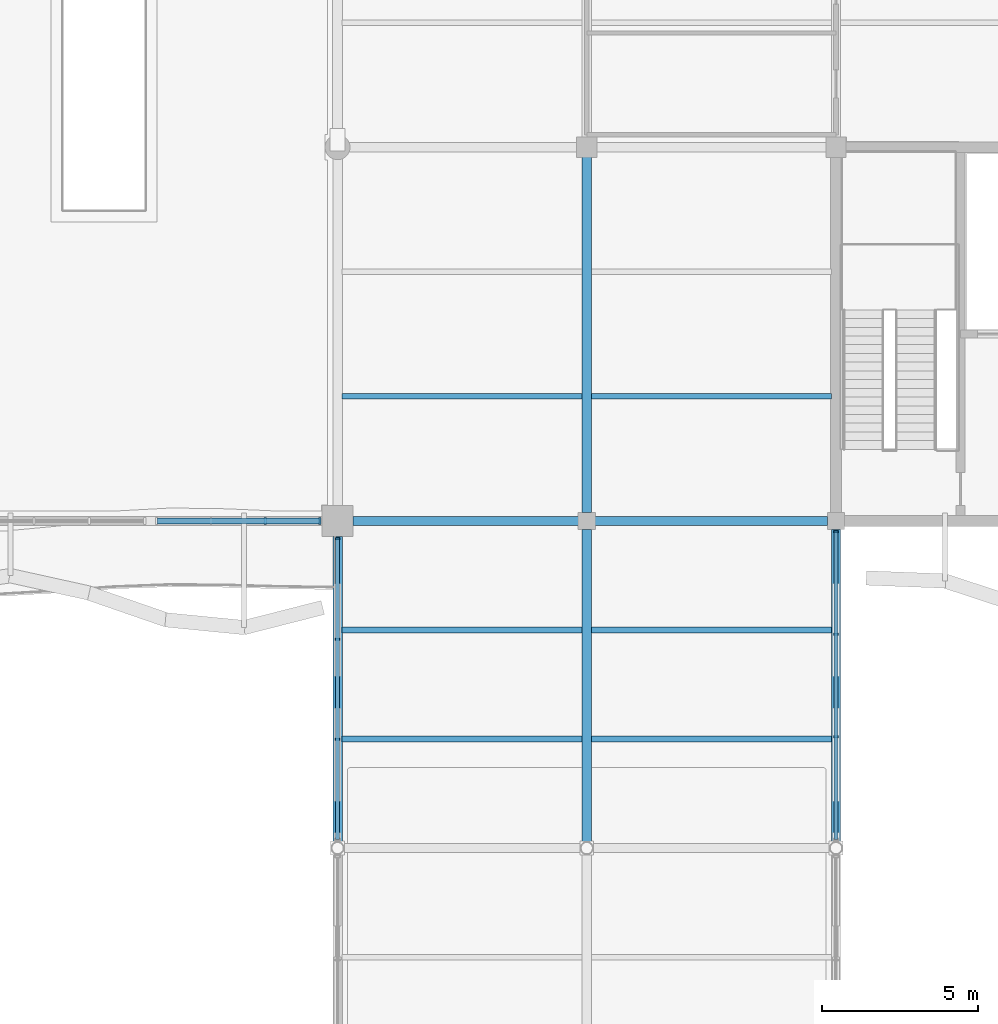
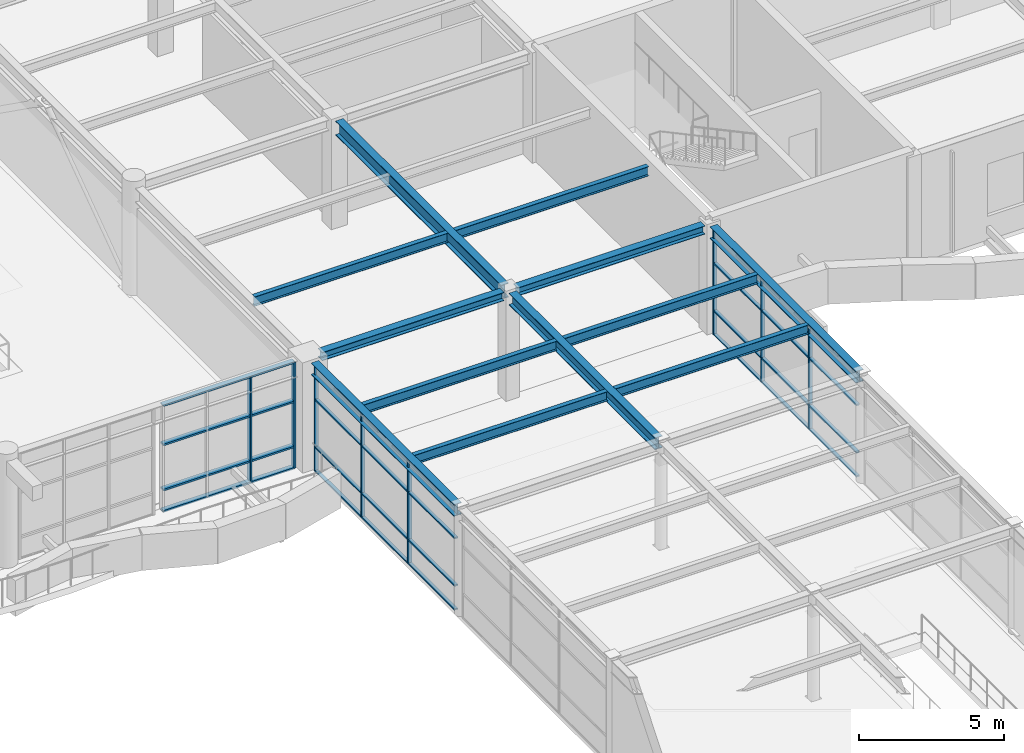
# One storey, part 26 of 72: 20 members, 12 beams, 3 elements without a shape of their own.
"""IFC4 building model written with IfcOpenShell, lengths in metres."""

from ifc_helpers import new_model, si_unit, direction, frame, origin, origin_2d, place, context, subcontext, project, spatial, rectangle, i_section, extrude, material, layer, layer_set, material_profile, profile_set, type_object, element, aggregate, save


model = new_model("IFC4")

# Units and contexts
model_context = context("Model", 3, precision=1e-05, world=origin(), true_north=direction((0.0, 1.0)))
body_context = subcontext(model_context, "Body", "Model", "MODEL_VIEW")
ifc_project = project(units=[si_unit("LENGTHUNIT", "METRE"), si_unit("AREAUNIT", "SQUARE_METRE"), si_unit("VOLUMEUNIT", "CUBIC_METRE"), si_unit("PLANEANGLEUNIT", "RADIAN"), si_unit("MASSUNIT", "GRAM", prefix="KILO")], contexts=[model_context])

# Site, building, storey
site_placement = place(None, origin())
site = spatial("IfcSite", under=ifc_project, at=site_placement, CompositionType="ELEMENT")
building_placement = place(site_placement, origin())
building = spatial("IfcBuilding", under=site, at=building_placement, Name="Keelwater Ferry Terminal", CompositionType="ELEMENT")
storey_placement = place(building_placement, frame((0.0, 0.0, 5.39990234375)))
storey = spatial("IfcBuildingStorey", under=building, at=storey_placement, Name="L01", CompositionType="ELEMENT", Elevation=5.39990234375)

# Curtain wall, members
ifc_material_1 = material(Name="Thermally broken unitised aluminium and triple glass", Category="aluminium")
ifc_layer_1 = layer(ifc_material_1, 0.179931640625)
ifc_layer_set_1 = layer_set([ifc_layer_1], Name="Thermally broken unitised aluminium and triple glass")
curtain_wall_type_1 = type_object("IfcCurtainWallType", Name="CW-01 Unitised Curtain Wall 5230x4450", PredefinedType="USERDEFINED", material=ifc_layer_set_1)
curtain_wall_1_placement = place(storey_placement, origin())
curtain_wall_1 = element("IfcCurtainWall", 1, at=curtain_wall_1_placement, inside=storey, type_object=curtain_wall_type_1, Name="Unitised Curtain Wall CW-L01-010", ObjectType="UNITISED CURTAIN WALL", PredefinedType="USERDEFINED")
ifc_material_2 = material(Name="Aluminium mullion", Category="aluminium")
ifc_material_profile_1 = material_profile(ifc_material_2, rectangle(XDim=0.074951171875, YDim=0.219970703125, at=origin_2d()), Name="CWM-02")
ifc_profile_set_1 = profile_set([ifc_material_profile_1], Name="Aluminium mullion")
member_type_1 = type_object("IfcMemberType", Name="CWM-02 Curtain Mullion 75x220", PredefinedType="MULLION", material=ifc_profile_set_1)
member_1_placement = place(storey_placement, frame((129.681640625, 42.0, 0.0), z_axis=(0.0, 0.0, 1.0), x_axis=(1.0, 0.0, 0.0)))
member_1 = element("IfcMember", 2, at=member_1_placement, type_object=member_type_1, Name="CW-L01-010 Mullion 3", PredefinedType="MULLION", context=body_context, shape_type="SweptSolid", body=[
    extrude(rectangle(XDim=0.074951171875, YDim=0.219970703125, at=origin_2d()), origin(), (0.0, 0.0, 1.0), 4.4501953125),
])
member_2_placement = place(storey_placement, frame((131.425048828125, 42.0, 0.0), z_axis=(0.0, 0.0, 1.0), x_axis=(1.0, 0.0, 0.0)))
member_2 = element("IfcMember", 3, at=member_2_placement, type_object=member_type_1, Name="CW-L01-010 Mullion 4", PredefinedType="MULLION", context=body_context, shape_type="SweptSolid", body=[
    extrude(rectangle(XDim=0.074951171875, YDim=0.219970703125, at=origin_2d()), origin(), (0.0, 0.0, 1.0), 4.4501953125),
])

ifc_material_3 = material(Name="Thermally broken unitised aluminium and triple glass", Category="aluminium")
ifc_layer_2 = layer(ifc_material_3, 0.179931640625)
ifc_layer_set_2 = layer_set([ifc_layer_2], Name="Thermally broken unitised aluminium and triple glass")
curtain_wall_type_2 = type_object("IfcCurtainWallType", Name="CW-13 Unitised Curtain Wall 9647x4400", PredefinedType="USERDEFINED", material=ifc_layer_set_2)
curtain_wall_2_placement = place(storey_placement, origin())
curtain_wall_2 = element("IfcCurtainWall", 4, at=curtain_wall_2_placement, inside=storey, type_object=curtain_wall_type_2, Name="Unitised Curtain Wall CW-L01-064", ObjectType="UNITISED CURTAIN WALL", PredefinedType="USERDEFINED")
ifc_material_4 = material(Name="Aluminium mullion", Category="aluminium")
ifc_material_profile_2 = material_profile(ifc_material_4, rectangle(XDim=0.06005859375, YDim=0.14990234375, at=origin_2d()), Name="CWM-03")
ifc_profile_set_2 = profile_set([ifc_material_profile_2], Name="Aluminium mullion")
member_type_2 = type_object("IfcMemberType", Name="CWM-03 Curtain Mullion 60x150", PredefinedType="MULLION", material=ifc_profile_set_2)
member_3_placement = place(storey_placement, frame((132.0, 34.99365234375, 0.0), z_axis=(0.0, 0.0, 1.0), x_axis=(0.0, 1.0, 0.0)))
member_3 = element("IfcMember", 5, at=member_3_placement, type_object=member_type_2, Name="CW-L01-064 Mullion 2", PredefinedType="MULLION", context=body_context, shape_type="SweptSolid", body=[
    extrude(rectangle(XDim=0.06005859375, YDim=0.14990234375, at=origin_2d()), origin(), (0.0, 0.0, 1.0), 4.400146484375),
])
member_4_placement = place(storey_placement, frame((132.0, 38.209228515625, 0.0), z_axis=(0.0, 0.0, 1.0), x_axis=(0.0, 1.0, 0.0)))
member_4 = element("IfcMember", 6, at=member_4_placement, type_object=member_type_2, Name="CW-L01-064 Mullion 3", PredefinedType="MULLION", context=body_context, shape_type="SweptSolid", body=[
    extrude(rectangle(XDim=0.06005859375, YDim=0.14990234375, at=origin_2d()), origin(), (0.0, 0.0, 1.0), 4.400146484375),
])
member_5_placement = place(storey_placement, frame((132.0, 41.425048828125, 0.0), z_axis=(0.0, 0.0, 1.0), x_axis=(0.0, 1.0, 0.0)))
member_5 = element("IfcMember", 7, at=member_5_placement, type_object=member_type_2, Name="CW-L01-064 Mullion 4", PredefinedType="MULLION", context=body_context, shape_type="SweptSolid", body=[
    extrude(rectangle(XDim=0.06005859375, YDim=0.14990234375, at=origin_2d()), origin(), (0.0, 0.0, 1.0), 4.400146484375),
])

ifc_material_5 = material(Name="Thermally broken unitised aluminium and triple glass", Category="aluminium")
ifc_layer_3 = layer(ifc_material_5, 0.179931640625)
ifc_layer_set_3 = layer_set([ifc_layer_3], Name="Thermally broken unitised aluminium and triple glass")
curtain_wall_type_3 = type_object("IfcCurtainWallType", Name="CW-11 Unitised Curtain Wall 9872x4400", PredefinedType="USERDEFINED", material=ifc_layer_set_3)
curtain_wall_3_placement = place(storey_placement, origin())
curtain_wall_3 = element("IfcCurtainWall", 8, at=curtain_wall_3_placement, inside=storey, type_object=curtain_wall_type_3, Name="Unitised Curtain Wall CW-L01-070", ObjectType="UNITISED CURTAIN WALL", PredefinedType="USERDEFINED")
member_6_placement = place(storey_placement, frame((148.0, 35.068603515625, 0.0), z_axis=(0.0, 0.0, 1.0), x_axis=(0.0, 1.0, 0.0)))
member_6 = element("IfcMember", 9, at=member_6_placement, type_object=member_type_2, Name="CW-L01-070 Mullion 2", PredefinedType="MULLION", context=body_context, shape_type="SweptSolid", body=[
    extrude(rectangle(XDim=0.06005859375, YDim=0.14990234375, at=origin_2d()), origin(), (0.0, 0.0, 1.0), 4.400146484375),
])
member_7_placement = place(storey_placement, frame((148.0, 38.359375, 0.0), z_axis=(0.0, 0.0, 1.0), x_axis=(0.0, 1.0, 0.0)))
member_7 = element("IfcMember", 10, at=member_7_placement, type_object=member_type_2, Name="CW-L01-070 Mullion 3", PredefinedType="MULLION", context=body_context, shape_type="SweptSolid", body=[
    extrude(rectangle(XDim=0.06005859375, YDim=0.14990234375, at=origin_2d()), origin(), (0.0, 0.0, 1.0), 4.400146484375),
])
member_8_placement = place(storey_placement, frame((148.0, 41.64990234375, 0.0), z_axis=(0.0, 0.0, 1.0), x_axis=(0.0, 1.0, 0.0)))
member_8 = element("IfcMember", 11, at=member_8_placement, type_object=member_type_2, Name="CW-L01-070 Mullion 4", PredefinedType="MULLION", context=body_context, shape_type="SweptSolid", body=[
    extrude(rectangle(XDim=0.06005859375, YDim=0.14990234375, at=origin_2d()), origin(), (0.0, 0.0, 1.0), 4.400146484375),
])

# Member
ifc_material_6 = material(Name="Aluminium mullion", Category="aluminium")
ifc_material_profile_3 = material_profile(ifc_material_6, rectangle(XDim=0.199951171875, YDim=0.074951171875, at=origin_2d()), Name="CWT-02")
ifc_profile_set_3 = profile_set([ifc_material_profile_3], Name="Aluminium mullion")
member_type_3 = type_object("IfcMemberType", Name="CWT-02 Curtain Transom 75x200", PredefinedType="USERDEFINED", material=ifc_profile_set_3)
member_9_placement = place(storey_placement, frame((126.195068359375, 42.0, 0.0), z_axis=(1.0, 0.0, 0.0), x_axis=(0.0, 1.0, 0.0)))
member_9 = element("IfcMember", 12, at=member_9_placement, type_object=member_type_3, Name="CW-L01-010 Transom 1", ObjectType="TRANSOM", PredefinedType="USERDEFINED", context=body_context, shape_type="SweptSolid", body=[
    extrude(rectangle(XDim=0.199951171875, YDim=0.074951171875, at=origin_2d()), origin(), (0.0, 0.0, 1.0), 5.22998046875),
])

member_10_placement = place(storey_placement, frame((126.195068359375, 42.0, 0.900146484375), z_axis=(1.0, 0.0, 0.0), x_axis=(0.0, 1.0, 0.0)))
member_10 = element("IfcMember", 13, at=member_10_placement, type_object=member_type_3, Name="CW-L01-010 Transom 2", ObjectType="TRANSOM", PredefinedType="USERDEFINED", context=body_context, shape_type="SweptSolid", body=[
    extrude(rectangle(XDim=0.199951171875, YDim=0.074951171875, at=origin_2d()), origin(), (0.0, 0.0, 1.0), 5.22998046875),
])

member_11_placement = place(storey_placement, frame((126.195068359375, 42.0, 2.800048828125), z_axis=(1.0, 0.0, 0.0), x_axis=(0.0, 1.0, 0.0)))
member_11 = element("IfcMember", 14, at=member_11_placement, type_object=member_type_3, Name="CW-L01-010 Transom 3", ObjectType="TRANSOM", PredefinedType="USERDEFINED", context=body_context, shape_type="SweptSolid", body=[
    extrude(rectangle(XDim=0.199951171875, YDim=0.074951171875, at=origin_2d()), origin(), (0.0, 0.0, 1.0), 5.22998046875),
])

member_12_placement = place(storey_placement, frame((126.195068359375, 42.0, 4.4501953125), z_axis=(1.0, 0.0, 0.0), x_axis=(0.0, 1.0, 0.0)))
member_12 = element("IfcMember", 15, at=member_12_placement, type_object=member_type_3, Name="CW-L01-010 Transom 4", ObjectType="TRANSOM", PredefinedType="USERDEFINED", context=body_context, shape_type="SweptSolid", body=[
    extrude(rectangle(XDim=0.199951171875, YDim=0.074951171875, at=origin_2d()), origin(), (0.0, 0.0, 1.0), 5.22998046875),
])

aggregate(curtain_wall_1, [member_1, member_2, member_9, member_10, member_11, member_12])

ifc_material_7 = material(Name="Aluminium mullion", Category="aluminium")
ifc_material_profile_4 = material_profile(ifc_material_7, rectangle(XDim=0.135009765625, YDim=0.06005859375, at=origin_2d()), Name="CWT-03")
ifc_profile_set_4 = profile_set([ifc_material_profile_4], Name="Aluminium mullion")
member_type_4 = type_object("IfcMemberType", Name="CWT-03 Curtain Transom 60x135", PredefinedType="USERDEFINED", material=ifc_profile_set_4)
member_13_placement = place(storey_placement, frame((132.0, 31.778076171875, 0.0), z_axis=(0.0, 1.0, 0.0), x_axis=(-1.0, 0.0, 0.0)))
member_13 = element("IfcMember", 16, at=member_13_placement, type_object=member_type_4, Name="CW-L01-064 Transom 1", ObjectType="TRANSOM", PredefinedType="USERDEFINED", context=body_context, shape_type="SweptSolid", body=[
    extrude(rectangle(XDim=0.135009765625, YDim=0.06005859375, at=origin_2d()), origin(), (0.0, 0.0, 1.0), 9.64697265625),
])

member_14_placement = place(storey_placement, frame((132.0, 31.778076171875, 1.0), z_axis=(0.0, 1.0, 0.0), x_axis=(-1.0, 0.0, 0.0)))
member_14 = element("IfcMember", 17, at=member_14_placement, type_object=member_type_4, Name="CW-L01-064 Transom 2", ObjectType="TRANSOM", PredefinedType="USERDEFINED", context=body_context, shape_type="SweptSolid", body=[
    extrude(rectangle(XDim=0.135009765625, YDim=0.06005859375, at=origin_2d()), origin(), (0.0, 0.0, 1.0), 9.64697265625),
])

member_15_placement = place(storey_placement, frame((132.0, 31.778076171875, 3.0), z_axis=(0.0, 1.0, 0.0), x_axis=(-1.0, 0.0, 0.0)))
member_15 = element("IfcMember", 18, at=member_15_placement, type_object=member_type_4, Name="CW-L01-064 Transom 3", ObjectType="TRANSOM", PredefinedType="USERDEFINED", context=body_context, shape_type="SweptSolid", body=[
    extrude(rectangle(XDim=0.135009765625, YDim=0.06005859375, at=origin_2d()), origin(), (0.0, 0.0, 1.0), 9.64697265625),
])

member_16_placement = place(storey_placement, frame((132.0, 31.778076171875, 4.400146484375), z_axis=(0.0, 1.0, 0.0), x_axis=(-1.0, 0.0, 0.0)))
member_16 = element("IfcMember", 19, at=member_16_placement, type_object=member_type_4, Name="CW-L01-064 Transom 4", ObjectType="TRANSOM", PredefinedType="USERDEFINED", context=body_context, shape_type="SweptSolid", body=[
    extrude(rectangle(XDim=0.135009765625, YDim=0.06005859375, at=origin_2d()), origin(), (0.0, 0.0, 1.0), 9.64697265625),
])

aggregate(curtain_wall_2, [member_3, member_4, member_5, member_13, member_14, member_15, member_16])

member_17_placement = place(storey_placement, frame((148.0, 31.778076171875, 0.0), z_axis=(0.0, 1.0, 0.0), x_axis=(-1.0, 0.0, 0.0)))
member_17 = element("IfcMember", 20, at=member_17_placement, type_object=member_type_4, Name="CW-L01-070 Transom 1", ObjectType="TRANSOM", PredefinedType="USERDEFINED", context=body_context, shape_type="SweptSolid", body=[
    extrude(rectangle(XDim=0.135009765625, YDim=0.06005859375, at=origin_2d()), origin(), (0.0, 0.0, 1.0), 9.871826171875),
])

member_18_placement = place(storey_placement, frame((148.0, 31.778076171875, 1.0), z_axis=(0.0, 1.0, 0.0), x_axis=(-1.0, 0.0, 0.0)))
member_18 = element("IfcMember", 21, at=member_18_placement, type_object=member_type_4, Name="CW-L01-070 Transom 2", ObjectType="TRANSOM", PredefinedType="USERDEFINED", context=body_context, shape_type="SweptSolid", body=[
    extrude(rectangle(XDim=0.135009765625, YDim=0.06005859375, at=origin_2d()), origin(), (0.0, 0.0, 1.0), 9.871826171875),
])

member_19_placement = place(storey_placement, frame((148.0, 31.778076171875, 3.0), z_axis=(0.0, 1.0, 0.0), x_axis=(-1.0, 0.0, 0.0)))
member_19 = element("IfcMember", 22, at=member_19_placement, type_object=member_type_4, Name="CW-L01-070 Transom 3", ObjectType="TRANSOM", PredefinedType="USERDEFINED", context=body_context, shape_type="SweptSolid", body=[
    extrude(rectangle(XDim=0.135009765625, YDim=0.06005859375, at=origin_2d()), origin(), (0.0, 0.0, 1.0), 9.871826171875),
])

member_20_placement = place(storey_placement, frame((148.0, 31.778076171875, 4.400146484375), z_axis=(0.0, 1.0, 0.0), x_axis=(-1.0, 0.0, 0.0)))
member_20 = element("IfcMember", 23, at=member_20_placement, type_object=member_type_4, Name="CW-L01-070 Transom 4", ObjectType="TRANSOM", PredefinedType="USERDEFINED", context=body_context, shape_type="SweptSolid", body=[
    extrude(rectangle(XDim=0.135009765625, YDim=0.06005859375, at=origin_2d()), origin(), (0.0, 0.0, 1.0), 9.871826171875),
])

aggregate(curtain_wall_3, [member_6, member_7, member_8, member_17, member_18, member_19, member_20])

# Beams
ifc_material_8 = material(Name="Steel S355", Category="steel")
ifc_material_profile_5 = material_profile(ifc_material_8, i_section(OverallWidth=0.300048828125, OverallDepth=0.60009765625, WebThickness=0.015380859375, FlangeThickness=0.030029296875, at=origin_2d()), Name="HEB 600")
ifc_profile_set_5 = profile_set([ifc_material_profile_5], Name="Steel S355")
beam_type_1 = type_object("IfcBeamType", Name="G3 HEB 600", PredefinedType="BEAM", material=ifc_profile_set_5)
beam_1_placement = place(storey_placement, frame((140.0, 42.27001953125, 4.22021484375), z_axis=(0.0, 1.0, 0.0), x_axis=(-1.0, 0.0, 0.0)))
element("IfcBeam", 24, at=beam_1_placement, inside=storey, type_object=beam_type_1, Name="Beam BM-L01-0767", PredefinedType="BEAM", context=body_context, shape_type="SweptSolid", body=[
    extrude(i_section(OverallWidth=0.300048828125, OverallDepth=0.60009765625, WebThickness=0.015380859375, FlangeThickness=0.030029296875, at=origin_2d()), origin(), (0.0, 0.0, 1.0), 11.411865234375),
])
ifc_material_9 = material(Name="Steel S355", Category="steel")
ifc_material_profile_6 = material_profile(ifc_material_9, i_section(OverallWidth=0.300048828125, OverallDepth=0.5, WebThickness=0.014404296875, FlangeThickness=0.028076171875, at=origin_2d()), Name="HEB 500")
ifc_profile_set_6 = profile_set([ifc_material_profile_6], Name="Steel S355")
beam_type_2 = type_object("IfcBeamType", Name="G5 HEB 500", PredefinedType="BEAM", material=ifc_profile_set_6)
beam_2_placement = place(storey_placement, frame((140.0, 31.6669921875, 4.27001953125), z_axis=(0.0, 1.0, 0.0), x_axis=(-1.0, 0.0, 0.0)))
element("IfcBeam", 25, at=beam_2_placement, inside=storey, type_object=beam_type_2, Name="Beam BM-L01-0766", PredefinedType="BEAM", context=body_context, shape_type="SweptSolid", body=[
    extrude(i_section(OverallWidth=0.300048828125, OverallDepth=0.5, WebThickness=0.014404296875, FlangeThickness=0.028076171875, at=origin_2d()), origin(), (0.0, 0.0, 1.0), 10.06298828125),
])
ifc_material_10 = material(Name="Steel S355", Category="steel")
ifc_material_profile_7 = material_profile(ifc_material_10, i_section(OverallWidth=0.300048828125, OverallDepth=0.5, WebThickness=0.014404296875, FlangeThickness=0.028076171875, at=origin_2d()), Name="HEB 500")
ifc_profile_set_7 = profile_set([ifc_material_profile_7], Name="Steel S355")
beam_type_3 = type_object("IfcBeamType", Name="G5E HEB 500", PredefinedType="BEAM", material=ifc_profile_set_7)
beam_3_placement = place(storey_placement, frame((132.0, 31.6669921875, 4.27001953125), z_axis=(0.0, 1.0, 0.0), x_axis=(-1.0, 0.0, 0.0)))
element("IfcBeam", 26, at=beam_3_placement, inside=storey, type_object=beam_type_3, Name="Beam BM-L01-0754", PredefinedType="BEAM", context=body_context, shape_type="SweptSolid", body=[
    extrude(i_section(OverallWidth=0.300048828125, OverallDepth=0.5, WebThickness=0.014404296875, FlangeThickness=0.028076171875, at=origin_2d()), origin(), (0.0, 0.0, 1.0), 9.843017578125),
])
beam_4_placement = place(storey_placement, frame((148.0, 31.6669921875, 4.27001953125), z_axis=(0.0, 1.0, 0.0), x_axis=(-1.0, 0.0, 0.0)))
element("IfcBeam", 27, at=beam_4_placement, inside=storey, type_object=beam_type_3, Name="Beam BM-L01-0777", PredefinedType="BEAM", context=body_context, shape_type="SweptSolid", body=[
    extrude(i_section(OverallWidth=0.300048828125, OverallDepth=0.5, WebThickness=0.014404296875, FlangeThickness=0.028076171875, at=origin_2d()), origin(), (0.0, 0.0, 1.0), 10.06298828125),
])
ifc_material_11 = material(Name="Steel S355", Category="steel")
ifc_material_profile_8 = material_profile(ifc_material_11, i_section(OverallWidth=0.179931640625, OverallDepth=0.39990234375, WebThickness=0.008544921875, FlangeThickness=0.013427734375, at=origin_2d()), Name="IPE 400")
ifc_profile_set_8 = profile_set([ifc_material_profile_8], Name="Steel S355")
beam_type_4 = type_object("IfcBeamType", Name="J5 IPE 400", PredefinedType="JOIST", material=ifc_profile_set_8)
for number, where, z_axis, x_axis, name in (
    (28, (132.14990234375, 35.0, 4.320068359375), (1.0, 0.0, 0.0), (0.0, 1.0, 0.0), "Beam BM-L01-0878"),
    (29, (132.14990234375, 38.5, 4.320068359375), (1.0, 0.0, 0.0), (0.0, 1.0, 0.0), "Beam BM-L01-0879"),
    (30, (132.14990234375, 46.0, 4.320068359375), (1.0, 0.0, 0.0), (0.0, 1.0, 0.0), "Beam BM-L01-0880"),
    (31, (140.14990234375, 35.0, 4.320068359375), (1.0, 0.0, 0.0), (0.0, 1.0, 0.0), "Beam BM-L01-0898"),
    (32, (140.14990234375, 38.5, 4.320068359375), (1.0, 0.0, 0.0), (0.0, 1.0, 0.0), "Beam BM-L01-0899"),
    (33, (140.14990234375, 46.0, 4.320068359375), (1.0, 0.0, 0.0), (0.0, 1.0, 0.0), "Beam BM-L01-0900"),
):
    element("IfcBeam", number, at=place(storey_placement, frame(where, z_axis=z_axis, x_axis=x_axis)), inside=storey, type_object=beam_type_4, Name=name, PredefinedType="JOIST", context=body_context, shape_type="SweptSolid", body=[
        extrude(i_section(OverallWidth=0.179931640625, OverallDepth=0.39990234375, WebThickness=0.008544921875, FlangeThickness=0.013427734375, at=origin_2d()), origin(), (0.0, 0.0, 1.0), 7.7001953125),
    ])
ifc_material_12 = material(Name="Steel S355", Category="steel")
ifc_material_profile_9 = material_profile(ifc_material_12, i_section(OverallWidth=0.300048828125, OverallDepth=0.35009765625, WebThickness=0.010009765625, FlangeThickness=0.017578125, at=origin_2d()), Name="HEA 360")
ifc_profile_set_9 = profile_set([ifc_material_profile_9], Name="Steel S355")
beam_type_5 = type_object("IfcBeamType", Name="SP1E HEA 360", PredefinedType="SPANDREL", material=ifc_profile_set_9)
beam_5_placement = place(storey_placement, frame((132.489990234375, 42.0, 4.34521484375), z_axis=(1.0, 0.0, 0.0), x_axis=(0.0, 1.0, 0.0)))
element("IfcBeam", 34, at=beam_5_placement, inside=storey, type_object=beam_type_5, Name="Beam BM-L01-0631", PredefinedType="SPANDREL", context=body_context, shape_type="SweptSolid", body=[
    extrude(i_section(OverallWidth=0.300048828125, OverallDepth=0.35009765625, WebThickness=0.010009765625, FlangeThickness=0.017578125, at=origin_2d()), origin(), (0.0, 0.0, 1.0), 7.239990234375),
])
beam_6_placement = place(storey_placement, frame((140.27001953125, 42.0, 4.34521484375), z_axis=(1.0, 0.0, 0.0), x_axis=(0.0, 1.0, 0.0)))
element("IfcBeam", 35, at=beam_6_placement, inside=storey, type_object=beam_type_5, Name="Beam BM-L01-0632", PredefinedType="SPANDREL", context=body_context, shape_type="SweptSolid", body=[
    extrude(i_section(OverallWidth=0.300048828125, OverallDepth=0.35009765625, WebThickness=0.010009765625, FlangeThickness=0.017578125, at=origin_2d()), origin(), (0.0, 0.0, 1.0), 7.4599609375),
])

save(model, "model.ifc")
